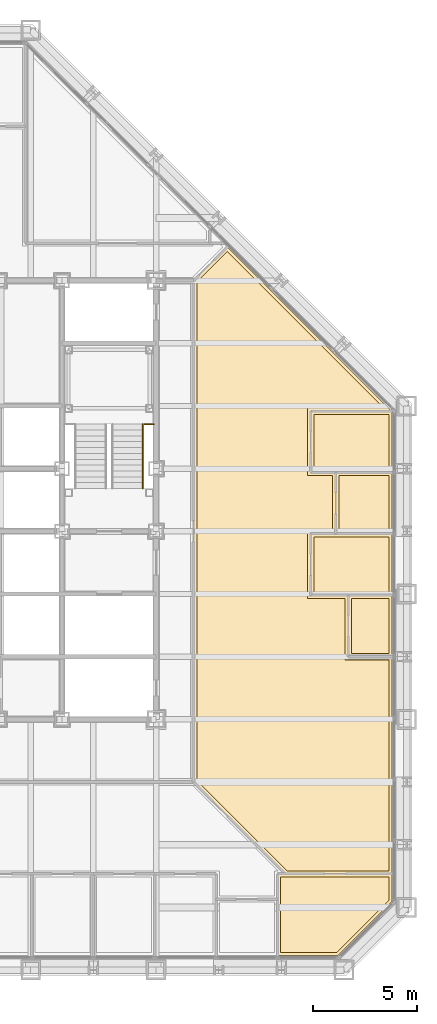
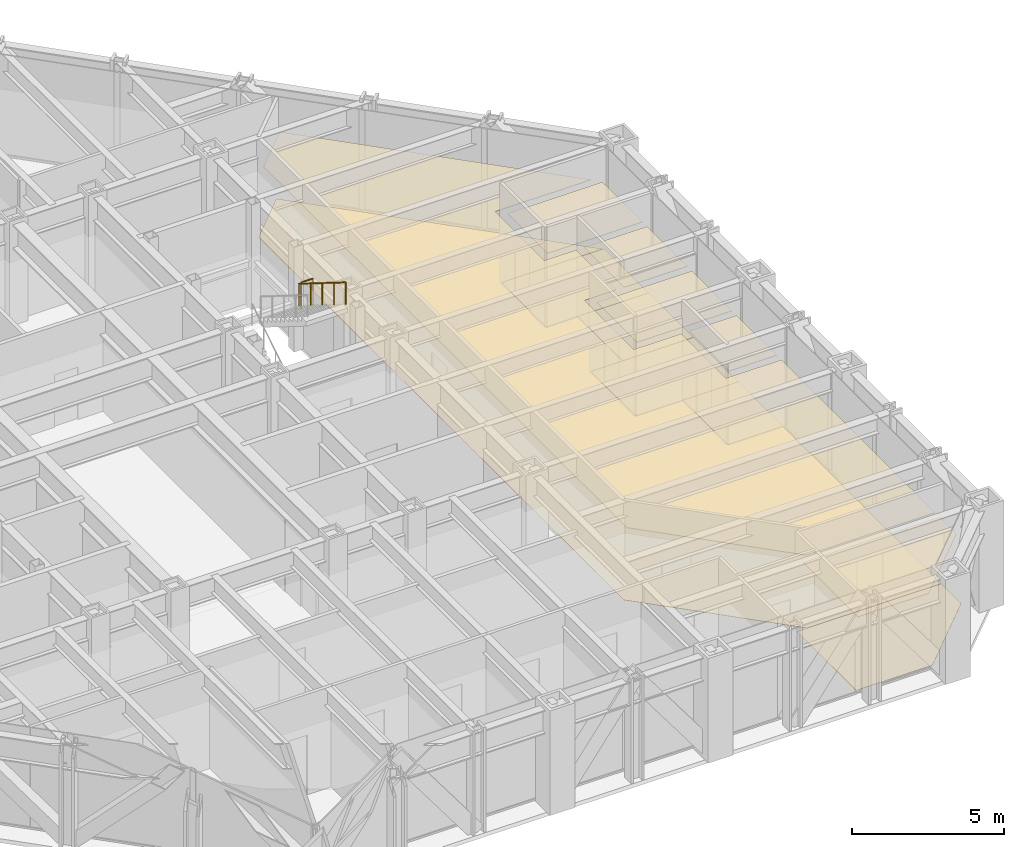
# One storey, part 16 of 17: 12 coverings, 2 railings.
"""IFC4 building model written with IfcOpenShell, lengths in metres."""

from ifc_helpers import new_model, si_unit, direction, frame, origin, origin_2d, place, context, subcontext, project, spatial, polyline, circle, outline, extrude, material, layer, layer_set, type_object, element, save


model = new_model("IFC4")

# Units and contexts
model_context = context("Model", 3, precision=1e-05, world=origin(), true_north=direction((0.0, 1.0)))
body_context = subcontext(model_context, "Body", "Model", "MODEL_VIEW")
ifc_project = project(units=[si_unit("LENGTHUNIT", "METRE"), si_unit("AREAUNIT", "SQUARE_METRE"), si_unit("VOLUMEUNIT", "CUBIC_METRE"), si_unit("PLANEANGLEUNIT", "RADIAN"), si_unit("MASSUNIT", "GRAM", prefix="KILO")], contexts=[model_context])

# Site, building, storey
site_placement = place(None, origin())
site = spatial("IfcSite", under=ifc_project, at=site_placement, CompositionType="ELEMENT")
building_placement = place(site_placement, origin())
building = spatial("IfcBuilding", under=site, at=building_placement, Name="Chuquiago Exchange Tower", CompositionType="ELEMENT")
storey_placement = place(building_placement, frame((0.0, 0.0, 132.0)))
storey = spatial("IfcBuildingStorey", under=building, at=storey_placement, Name="L28", CompositionType="ELEMENT", Elevation=132.0)

# Coverings
ifc_material_1 = material(Name="Mineral fibre tile, 600 x 600, on pale metal grid", Category="mineral fibre")
ifc_layer_1 = layer(ifc_material_1, 0.02001953125)
ifc_layer_set_1 = layer_set([ifc_layer_1], Name="CL1 suspended tile ceiling 20")
covering_type_1 = type_object("IfcCoveringType", Name="CL1 suspended tile ceiling 20", PredefinedType="CEILING", material=ifc_layer_set_1)
covering_1_placement = place(storey_placement, frame((0.0, 0.0, 2.800048828125)))
element("IfcCovering", 1, at=covering_1_placement, inside=storey, type_object=covering_type_1, Name="Ceiling Meeting room", PredefinedType="CEILING", context=body_context, shape_type="SweptSolid", body=[
    extrude(outline(polyline([(41.64794921875, 0.85009765625), (38.963623046875, 0.85009765625), (38.963623046875, 4.449951171875), (44.14990234375, 4.449951171875), (44.14990234375, 3.35205078125), (41.64794921875, 0.85009765625)])), origin(), (0.0, 0.0, 1.0), 0.02001953125),
])
covering_2_placement = place(storey_placement, frame((0.0, 0.0, 2.800048828125)))
element("IfcCovering", 2, at=covering_2_placement, inside=storey, type_object=covering_type_1, Name="Ceiling Focus room", PredefinedType="CEILING", context=body_context, shape_type="SweptSolid", body=[
    extrude(outline(polyline([(42.35009765625, 15.14990234375), (42.35009765625, 17.787841796875), (44.14990234375, 17.787841796875), (44.14990234375, 15.14990234375), (42.35009765625, 15.14990234375)])), origin(), (0.0, 0.0, 1.0), 0.02001953125),
])
covering_3_placement = place(storey_placement, frame((0.0, 0.0, 2.800048828125)))
element("IfcCovering", 3, at=covering_3_placement, inside=storey, type_object=covering_type_1, Name="Ceiling Office", PredefinedType="CEILING", context=body_context, shape_type="SweptSolid", body=[
    extrude(outline(polyline([(40.550048828125, 18.087890625), (40.550048828125, 20.7255859375), (44.14990234375, 20.7255859375), (44.14990234375, 18.087890625), (40.550048828125, 18.087890625)])), origin(), (0.0, 0.0, 1.0), 0.02001953125),
])
covering_4_placement = place(storey_placement, frame((0.0, 0.0, 2.800048828125)))
element("IfcCovering", 4, at=covering_4_placement, inside=storey, type_object=covering_type_1, Name="Ceiling Pantry", PredefinedType="CEILING", context=body_context, shape_type="SweptSolid", body=[
    extrude(outline(polyline([(41.75, 21.025634765625), (41.75, 23.66357421875), (44.14990234375, 23.66357421875), (44.14990234375, 21.025634765625), (41.75, 21.025634765625)])), origin(), (0.0, 0.0, 1.0), 0.02001953125),
])
covering_5_placement = place(storey_placement, frame((0.0, 0.0, 2.800048828125)))
element("IfcCovering", 5, at=covering_5_placement, inside=storey, type_object=covering_type_1, Name="Ceiling Office", PredefinedType="CEILING", context=body_context, shape_type="SweptSolid", body=[
    extrude(outline(polyline([(44.14990234375, 23.963623046875), (40.550048828125, 23.963623046875), (40.550048828125, 26.6015625), (44.14990234375, 26.6015625), (44.14990234375, 23.963623046875)])), origin(), (0.0, 0.0, 1.0), 0.02001953125),
])
covering_6_placement = place(storey_placement, frame((0.0, 0.0, 2.800048828125)))
element("IfcCovering", 6, at=covering_6_placement, inside=storey, type_object=covering_type_1, Name="Ceiling Open office east", PredefinedType="CEILING", context=body_context, shape_type="SweptSolid", body=[
    extrude(outline(polyline([(40.25, 26.901611328125), (40.25, 23.66357421875), (41.449951171875, 23.66357421875), (41.449951171875, 21.025634765625), (40.25, 21.025634765625), (40.25, 17.787841796875), (42.050048828125, 17.787841796875), (42.050048828125, 14.85009765625), (44.14990234375, 14.85009765625), (44.14990234375, 4.75), (39.2626953125, 4.75), (34.949951171875, 9.0625), (34.949951171875, 32.9375), (36.405517578125, 34.392578125), (43.896484375, 26.901611328125), (40.25, 26.901611328125)])), origin(), (0.0, 0.0, 1.0), 0.02001953125),
])
ifc_material_2 = material(Name="Carpet tile, 500 x 500, on the floor slab", Category="textile")
ifc_layer_2 = layer(ifc_material_2, 0.010009765625)
ifc_layer_set_2 = layer_set([ifc_layer_2], Name="FL1 carpet tile 10")
covering_type_2 = type_object("IfcCoveringType", Name="FL1 carpet tile 10", PredefinedType="FLOORING", material=ifc_layer_set_2)
covering_7_placement = place(storey_placement, origin())
element("IfcCovering", 7, at=covering_7_placement, inside=storey, type_object=covering_type_2, Name="Floor finish Meeting room", PredefinedType="FLOORING", context=body_context, shape_type="SweptSolid", body=[
    extrude(outline(polyline([(44.300048828125, 3.289794921875), (41.710205078125, 0.699951171875), (38.813720703125, 0.699951171875), (38.813720703125, 4.60009765625), (44.300048828125, 4.60009765625), (44.300048828125, 3.289794921875)])), origin(), (0.0, 0.0, 1.0), 0.010009765625),
])
covering_8_placement = place(storey_placement, origin())
element("IfcCovering", 8, at=covering_8_placement, inside=storey, type_object=covering_type_2, Name="Floor finish Focus room", PredefinedType="FLOORING", context=body_context, shape_type="SweptSolid", body=[
    extrude(outline(polyline([(44.300048828125, 15.0), (42.199951171875, 15.0), (42.199951171875, 17.93798828125), (44.300048828125, 17.93798828125), (44.300048828125, 15.0)])), origin(), (0.0, 0.0, 1.0), 0.010009765625),
])
covering_9_placement = place(storey_placement, origin())
element("IfcCovering", 9, at=covering_9_placement, inside=storey, type_object=covering_type_2, Name="Floor finish Office", PredefinedType="FLOORING", context=body_context, shape_type="SweptSolid", body=[
    extrude(outline(polyline([(44.300048828125, 17.93798828125), (40.39990234375, 17.93798828125), (40.39990234375, 20.875732421875), (44.300048828125, 20.875732421875), (44.300048828125, 17.93798828125)])), origin(), (0.0, 0.0, 1.0), 0.010009765625),
])
covering_10_placement = place(storey_placement, origin())
element("IfcCovering", 10, at=covering_10_placement, inside=storey, type_object=covering_type_2, Name="Floor finish Office", PredefinedType="FLOORING", context=body_context, shape_type="SweptSolid", body=[
    extrude(outline(polyline([(44.300048828125, 26.710205078125), (44.300048828125, 23.813720703125), (40.39990234375, 23.813720703125), (40.39990234375, 26.75146484375), (44.258544921875, 26.75146484375), (44.300048828125, 26.710205078125)])), origin(), (0.0, 0.0, 1.0), 0.010009765625),
])
covering_11_placement = place(storey_placement, origin())
element("IfcCovering", 11, at=covering_11_placement, inside=storey, type_object=covering_type_2, Name="Floor finish Open office east", PredefinedType="FLOORING", context=body_context, shape_type="SweptSolid", body=[
    extrude(outline(polyline([(44.258544921875, 26.75146484375), (40.39990234375, 26.75146484375), (40.39990234375, 23.813720703125), (41.60009765625, 23.813720703125), (41.60009765625, 20.875732421875), (40.39990234375, 20.875732421875), (40.39990234375, 17.93798828125), (42.199951171875, 17.93798828125), (42.199951171875, 15.0), (44.300048828125, 15.0), (44.300048828125, 4.60009765625), (39.20068359375, 4.60009765625), (34.800048828125, 9.00048828125), (34.800048828125, 32.99951171875), (36.405517578125, 34.604736328125), (44.258544921875, 26.75146484375)])), origin(), (0.0, 0.0, 1.0), 0.010009765625),
])
ifc_material_3 = material(Name="Porcelain floor tile, 600 x 600, on adhesive bed", Category="ceramic")
ifc_layer_3 = layer(ifc_material_3, 0.014892578125)
ifc_layer_set_3 = layer_set([ifc_layer_3], Name="FL2 porcelain tile 15")
covering_type_3 = type_object("IfcCoveringType", Name="FL2 porcelain tile 15", PredefinedType="FLOORING", material=ifc_layer_set_3)
covering_12_placement = place(storey_placement, origin())
element("IfcCovering", 12, at=covering_12_placement, inside=storey, type_object=covering_type_3, Name="Floor finish Pantry", PredefinedType="FLOORING", context=body_context, shape_type="SweptSolid", body=[
    extrude(outline(polyline([(44.300048828125, 20.875732421875), (41.60009765625, 20.875732421875), (41.60009765625, 23.813720703125), (44.300048828125, 23.813720703125), (44.300048828125, 20.875732421875)])), origin(), (0.0, 0.0, 1.0), 0.014892578125),
])

# Railings
ifc_material_4 = material(Name="Pale metal guard with safety glass infill", Category="glass")
railing_type_1 = type_object("IfcRailingType", Name="GR1 guard 1100", PredefinedType="GUARDRAIL", material=ifc_material_4)
railing_1_placement = place(storey_placement, frame((32.445068359375, 26.1298828125, 2.10009765625)))
element("IfcRailing", 13, at=railing_1_placement, inside=storey, type_object=railing_type_1, Name="Guard ST2 L28 landing 2", PredefinedType="GUARDRAIL", context=body_context, shape_type="SweptSolid", body=[
    extrude(circle(Radius=0.02392578125, at=origin_2d()), frame((0.0, 0.0, 1.076171875), z_axis=(1.0, 0.0, 0.0), x_axis=(0.0, 1.0, 0.0)), (0.0, 0.0, 1.0), 0.454833984375),
    extrude(circle(Radius=0.02099609375, at=origin_2d()), origin(), (0.0, 0.0, 1.0), 1.052001953125),
    extrude(circle(Radius=0.02099609375, at=origin_2d()), frame((0.454833984375, 0.0, 0.0)), (0.0, 0.0, 1.0), 1.052001953125),
])
ifc_material_5 = material(Name="Pale metal handrail", Category="steel")
railing_type_2 = type_object("IfcRailingType", Name="HR1 handrail 900", PredefinedType="HANDRAIL", material=ifc_material_5)
railing_2_placement = place(storey_placement, frame((32.364990234375, 26.1298828125, 2.27490234375)))
element("IfcRailing", 14, at=railing_2_placement, inside=storey, type_object=railing_type_2, Name="Handrail ST2 L28 flight 2", PredefinedType="HANDRAIL", context=body_context, shape_type="SweptSolid", body=[
    extrude(circle(Radius=0.02392578125, at=origin_2d()), frame((0.0, 0.0, 0.8759765625), z_axis=(0.0, -0.847979421464, 0.530029150871), x_axis=(1.0, 0.0, 0.0)), (0.0, 0.0, 1.0), 3.632080078125),
    extrude(circle(Radius=0.02099609375, at=origin_2d()), origin(), (0.0, 0.0, 1.0), 0.851806640625),
    extrude(circle(Radius=0.02099609375, at=origin_2d()), frame((0.0, -0.77001953125, 0.481201171875)), (0.0, 0.0, 1.0), 0.851806640625),
    extrude(circle(Radius=0.02099609375, at=origin_2d()), frame((0.0, -1.5400390625, 0.96240234375)), (0.0, 0.0, 1.0), 0.851806640625),
    extrude(circle(Radius=0.02099609375, at=origin_2d()), frame((0.0, -2.309814453125, 1.44384765625)), (0.0, 0.0, 1.0), 0.851806640625),
    extrude(circle(Radius=0.02099609375, at=origin_2d()), frame((0.0, -3.079833984375, 1.925048828125)), (0.0, 0.0, 1.0), 0.851806640625),
])

save(model, "model.ifc")
